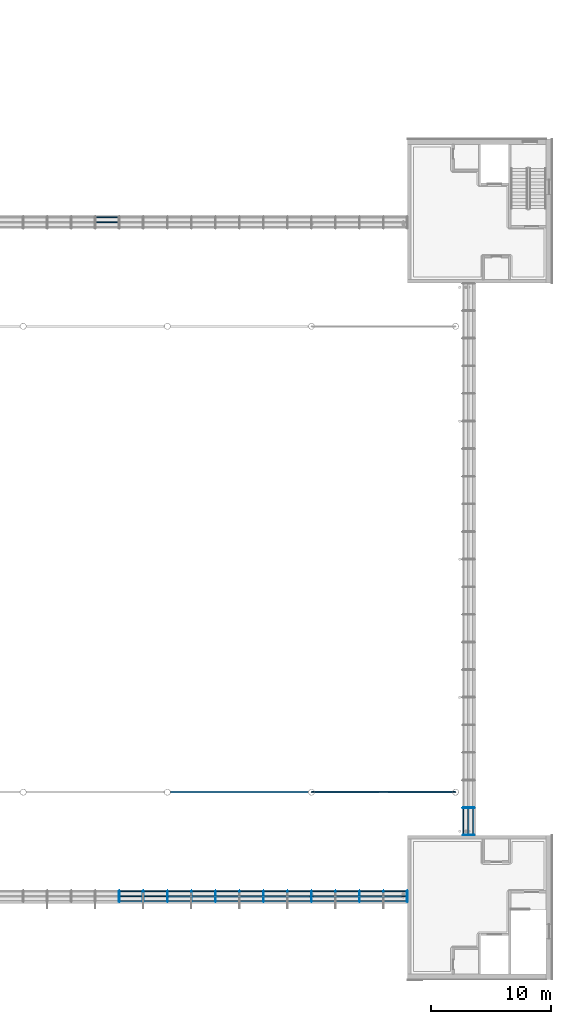
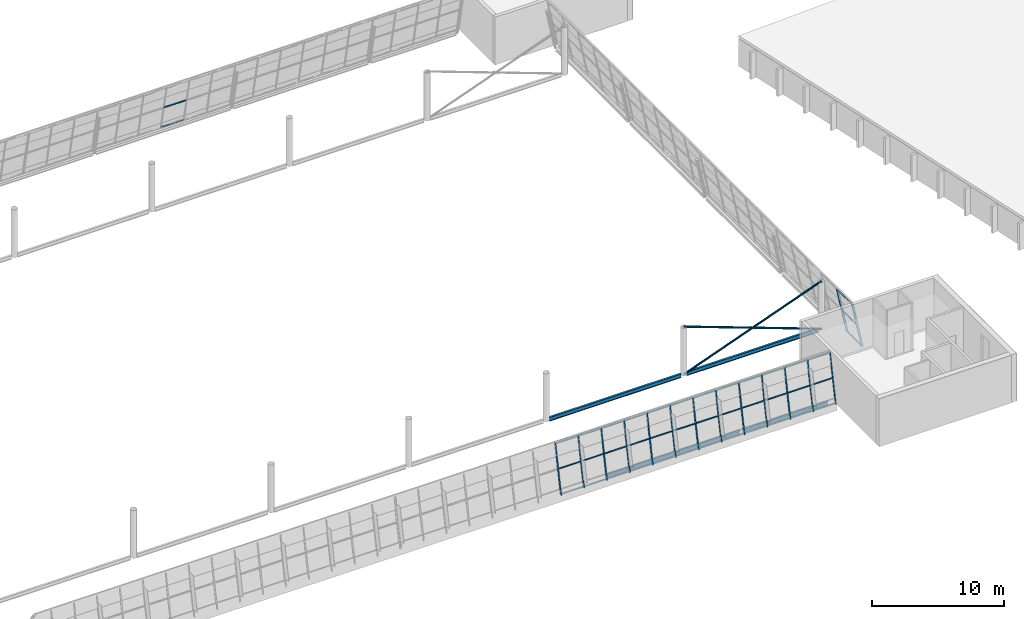
# One storey, part 14 of 50: 59 members, 4 beams, 3 elements without a shape of their own.
"""IFC4 building model written with IfcOpenShell, lengths in metres."""

from ifc_helpers import new_model, si_unit, direction, frame, origin, origin_2d, place, context, subcontext, project, spatial, rectangle, hollow_circle, i_section, extrude, material, layer, layer_set, material_profile, profile_set, type_object, element, aggregate, save


model = new_model("IFC4")

# Units and contexts
model_context = context("Model", 3, precision=1e-05, world=origin(), true_north=direction((0.0, 1.0)))
body_context = subcontext(model_context, "Body", "Model", "MODEL_VIEW")
ifc_project = project(units=[si_unit("LENGTHUNIT", "METRE"), si_unit("AREAUNIT", "SQUARE_METRE"), si_unit("VOLUMEUNIT", "CUBIC_METRE"), si_unit("PLANEANGLEUNIT", "RADIAN"), si_unit("MASSUNIT", "GRAM", prefix="KILO")], contexts=[model_context])

# Site, building, storey
site_placement = place(None, origin())
site = spatial("IfcSite", under=ifc_project, at=site_placement, CompositionType="ELEMENT")
building_placement = place(site_placement, origin())
building = spatial("IfcBuilding", under=site, at=building_placement, Name="Windward Yard Aquatics Centre", CompositionType="ELEMENT")
storey_placement = place(building_placement, frame((0.0, 0.0, 18.199951171875)))
storey = spatial("IfcBuildingStorey", under=building, at=storey_placement, Name="L04", CompositionType="ELEMENT", Elevation=18.199951171875)

# Curtain wall, members
ifc_material_1 = material(Name="Glass and aluminium curtain wall", Category="aluminium")
ifc_layer = layer(ifc_material_1, 0.179931640625)
ifc_layer_set = layer_set([ifc_layer], Name="H curtain wall tier 2 double glazed 6+16+6")
curtain_wall_type = type_object("IfcCurtainWallType", Name="H curtain wall tier 2 double glazed 6+16+6", PredefinedType="NOTDEFINED", material=ifc_layer_set)
curtain_wall_1_placement = place(storey_placement, origin())
curtain_wall_1 = element("IfcCurtainWall", 1, at=curtain_wall_1_placement, inside=storey, type_object=curtain_wall_type, Name="Tier 2 glazing S L04", PredefinedType="NOTDEFINED")
ifc_material_2 = material(Name="Aluminium 6063-T6 anodised", Category="aluminium")
ifc_material_profile_1 = material_profile(ifc_material_2, rectangle(XDim=0.06494140625, YDim=0.179931640625, at=origin_2d()), Name="H CW mullion 65x180")
ifc_profile_set_1 = profile_set([ifc_material_profile_1], Name="Aluminium 6063-T6 anodised")
member_type_1 = type_object("IfcMemberType", Name="H CW mullion 65x180", PredefinedType="MULLION", material=ifc_profile_set_1)
member_1_placement = place(storey_placement, frame((116.003173828125, 32.505126953125, 0.0), z_axis=(0.0, 0.199376314935, 0.979922999548), x_axis=(-1.0, 0.0, 0.0)))
member_1 = element("IfcMember", 2, at=member_1_placement, type_object=member_type_1, Name="G2SB mullion 8", PredefinedType="MULLION", context=body_context, shape_type="SweptSolid", body=[
    extrude(rectangle(XDim=0.06494140625, YDim=0.179931640625, at=origin_2d()), origin(), (0.0, 0.0, 1.0), 4.31884765625),
])
member_2_placement = place(storey_placement, frame((118.0029296875, 32.505126953125, 0.0), z_axis=(0.0, 0.199376314935, 0.979922999548), x_axis=(-1.0, 0.0, 0.0)))
member_2 = element("IfcMember", 3, at=member_2_placement, type_object=member_type_1, Name="G2SB mullion 9", PredefinedType="MULLION", context=body_context, shape_type="SweptSolid", body=[
    extrude(rectangle(XDim=0.06494140625, YDim=0.179931640625, at=origin_2d()), origin(), (0.0, 0.0, 1.0), 4.31884765625),
])
member_3_placement = place(storey_placement, frame((120.002685546875, 32.505126953125, 0.0), z_axis=(0.0, 0.199376314935, 0.979922999548), x_axis=(-1.0, 0.0, 0.0)))
member_3 = element("IfcMember", 4, at=member_3_placement, type_object=member_type_1, Name="G2SB mullion 10", PredefinedType="MULLION", context=body_context, shape_type="SweptSolid", body=[
    extrude(rectangle(XDim=0.06494140625, YDim=0.179931640625, at=origin_2d()), origin(), (0.0, 0.0, 1.0), 4.31884765625),
])
member_4_placement = place(storey_placement, frame((122.00244140625, 32.505126953125, 0.0), z_axis=(0.0, 0.199376314935, 0.979922999548), x_axis=(-1.0, 0.0, 0.0)))
member_4 = element("IfcMember", 5, at=member_4_placement, type_object=member_type_1, Name="G2SB mullion 11", PredefinedType="MULLION", context=body_context, shape_type="SweptSolid", body=[
    extrude(rectangle(XDim=0.06494140625, YDim=0.179931640625, at=origin_2d()), origin(), (0.0, 0.0, 1.0), 4.31884765625),
])
member_5_placement = place(storey_placement, frame((124.002197265625, 32.505126953125, 0.0), z_axis=(0.0, 0.199376314935, 0.979922999548), x_axis=(-1.0, 0.0, 0.0)))
member_5 = element("IfcMember", 6, at=member_5_placement, type_object=member_type_1, Name="G2SB mullion 12", PredefinedType="MULLION", context=body_context, shape_type="SweptSolid", body=[
    extrude(rectangle(XDim=0.06494140625, YDim=0.179931640625, at=origin_2d()), origin(), (0.0, 0.0, 1.0), 4.31884765625),
])
member_6_placement = place(storey_placement, frame((126.001953125, 32.505126953125, 0.0), z_axis=(0.0, 0.199376314935, 0.979922999548), x_axis=(-1.0, 0.0, 0.0)))
member_6 = element("IfcMember", 7, at=member_6_placement, type_object=member_type_1, Name="G2SB mullion 13", PredefinedType="MULLION", context=body_context, shape_type="SweptSolid", body=[
    extrude(rectangle(XDim=0.06494140625, YDim=0.179931640625, at=origin_2d()), origin(), (0.0, 0.0, 1.0), 4.31884765625),
])
member_7_placement = place(storey_placement, frame((128.00146484375, 32.505126953125, 0.0), z_axis=(0.0, 0.199376314935, 0.979922999548), x_axis=(-1.0, 0.0, 0.0)))
member_7 = element("IfcMember", 8, at=member_7_placement, type_object=member_type_1, Name="G2SB mullion 14", PredefinedType="MULLION", context=body_context, shape_type="SweptSolid", body=[
    extrude(rectangle(XDim=0.06494140625, YDim=0.179931640625, at=origin_2d()), origin(), (0.0, 0.0, 1.0), 4.31884765625),
])
member_8_placement = place(storey_placement, frame((130.001220703125, 32.505126953125, 0.0), z_axis=(0.0, 0.199376314935, 0.979922999548), x_axis=(-1.0, 0.0, 0.0)))
member_8 = element("IfcMember", 9, at=member_8_placement, type_object=member_type_1, Name="G2SB mullion 15", PredefinedType="MULLION", context=body_context, shape_type="SweptSolid", body=[
    extrude(rectangle(XDim=0.06494140625, YDim=0.179931640625, at=origin_2d()), origin(), (0.0, 0.0, 1.0), 4.31884765625),
])
member_9_placement = place(storey_placement, frame((132.0009765625, 32.505126953125, 0.0), z_axis=(0.0, 0.199376314935, 0.979922999548), x_axis=(-1.0, 0.0, 0.0)))
member_9 = element("IfcMember", 10, at=member_9_placement, type_object=member_type_1, Name="G2SB mullion 16", PredefinedType="MULLION", context=body_context, shape_type="SweptSolid", body=[
    extrude(rectangle(XDim=0.06494140625, YDim=0.179931640625, at=origin_2d()), origin(), (0.0, 0.0, 1.0), 4.31884765625),
])
member_10_placement = place(storey_placement, frame((134.000732421875, 32.505126953125, 0.0), z_axis=(0.0, 0.199376314935, 0.979922999548), x_axis=(-1.0, 0.0, 0.0)))
member_10 = element("IfcMember", 11, at=member_10_placement, type_object=member_type_1, Name="G2SB mullion 17", PredefinedType="MULLION", context=body_context, shape_type="SweptSolid", body=[
    extrude(rectangle(XDim=0.06494140625, YDim=0.179931640625, at=origin_2d()), origin(), (0.0, 0.0, 1.0), 4.31884765625),
])
member_11_placement = place(storey_placement, frame((136.00048828125, 32.505126953125, 0.0), z_axis=(0.0, 0.199376314935, 0.979922999548), x_axis=(-1.0, 0.0, 0.0)))
member_11 = element("IfcMember", 12, at=member_11_placement, type_object=member_type_1, Name="G2SB mullion 18", PredefinedType="MULLION", context=body_context, shape_type="SweptSolid", body=[
    extrude(rectangle(XDim=0.06494140625, YDim=0.179931640625, at=origin_2d()), origin(), (0.0, 0.0, 1.0), 4.31884765625),
])
member_12_placement = place(storey_placement, frame((138.000244140625, 32.505126953125, 0.0), z_axis=(0.0, 0.199376314935, 0.979922999548), x_axis=(-1.0, 0.0, 0.0)))
member_12 = element("IfcMember", 13, at=member_12_placement, type_object=member_type_1, Name="G2SB mullion 19", PredefinedType="MULLION", context=body_context, shape_type="SweptSolid", body=[
    extrude(rectangle(XDim=0.06494140625, YDim=0.179931640625, at=origin_2d()), origin(), (0.0, 0.0, 1.0), 4.31884765625),
])
member_13_placement = place(storey_placement, frame((139.967529296875, 32.505126953125, 0.0), z_axis=(0.0, 0.199376314935, 0.979922999548), x_axis=(-1.0, 0.0, 0.0)))
member_13 = element("IfcMember", 14, at=member_13_placement, type_object=member_type_1, Name="G2SB mullion 20", PredefinedType="MULLION", context=body_context, shape_type="SweptSolid", body=[
    extrude(rectangle(XDim=0.06494140625, YDim=0.179931640625, at=origin_2d()), origin(), (0.0, 0.0, 1.0), 4.31884765625),
])

curtain_wall_2_placement = place(storey_placement, origin())
curtain_wall_2 = element("IfcCurtainWall", 15, at=curtain_wall_2_placement, inside=storey, type_object=curtain_wall_type, Name="Tier 2 glazing E L04", PredefinedType="NOTDEFINED")
member_14_placement = place(storey_placement, frame((145.494873046875, 38.032470703125, 0.0), z_axis=(-0.199376314935, 0.0, 0.979922999548), x_axis=(0.0, -1.0, 0.0)))
member_14 = element("IfcMember", 16, at=member_14_placement, type_object=member_type_1, Name="G2EA mullion 1", PredefinedType="MULLION", context=body_context, shape_type="SweptSolid", body=[
    extrude(rectangle(XDim=0.06494140625, YDim=0.179931640625, at=origin_2d()), origin(), (0.0, 0.0, 1.0), 4.31884765625),
])
member_15_placement = place(storey_placement, frame((145.494873046875, 40.300048828125, 0.0), z_axis=(-0.199376314935, 0.0, 0.979922999548), x_axis=(0.0, -1.0, 0.0)))
member_15 = element("IfcMember", 17, at=member_15_placement, type_object=member_type_1, Name="G2EA mullion 2", PredefinedType="MULLION", context=body_context, shape_type="SweptSolid", body=[
    extrude(rectangle(XDim=0.06494140625, YDim=0.179931640625, at=origin_2d()), origin(), (0.0, 0.0, 1.0), 4.31884765625),
])

# Member
ifc_material_profile_2 = material_profile(ifc_material_2, rectangle(XDim=0.06494140625, YDim=0.10009765625, at=origin_2d()), Name="H CW transom 65x100")
ifc_profile_set_2 = profile_set([ifc_material_profile_2], Name="Aluminium 6063-T6 anodised")
member_type_2 = type_object("IfcMemberType", Name="H CW transom 65x100", PredefinedType="USERDEFINED", material=ifc_profile_set_2)
member_16_placement = place(storey_placement, frame((116.03564453125, 32.51513671875, 0.049072265625), z_axis=(1.0, 0.0, 0.0), x_axis=(0.0, -0.9799247046, 0.19936793452)))
member_16 = element("IfcMember", 18, at=member_16_placement, type_object=member_type_2, Name="G2SB transom 8.1", ObjectType="TRANSOM", PredefinedType="USERDEFINED", context=body_context, shape_type="SweptSolid", body=[
    extrude(rectangle(XDim=0.06494140625, YDim=0.10009765625, at=origin_2d()), origin(), (0.0, 0.0, 1.0), 1.934814453125),
])

member_17_placement = place(storey_placement, frame((116.03564453125, 32.9375, 2.125), z_axis=(1.0, 0.0, 0.0), x_axis=(0.0, -0.9799247046, 0.19936793452)))
member_17 = element("IfcMember", 19, at=member_17_placement, type_object=member_type_2, Name="G2SB transom 8.2", ObjectType="TRANSOM", PredefinedType="USERDEFINED", context=body_context, shape_type="SweptSolid", body=[
    extrude(rectangle(XDim=0.06494140625, YDim=0.10009765625, at=origin_2d()), origin(), (0.0, 0.0, 1.0), 1.934814453125),
])

member_18_placement = place(storey_placement, frame((116.03564453125, 33.358642578125, 4.194580078125), z_axis=(1.0, 0.0, 0.0), x_axis=(0.0, -0.9799247046, 0.19936793452)))
member_18 = element("IfcMember", 20, at=member_18_placement, type_object=member_type_2, Name="G2SB transom 8.3", ObjectType="TRANSOM", PredefinedType="USERDEFINED", context=body_context, shape_type="SweptSolid", body=[
    extrude(rectangle(XDim=0.06494140625, YDim=0.10009765625, at=origin_2d()), origin(), (0.0, 0.0, 1.0), 1.934814453125),
])

member_19_placement = place(storey_placement, frame((118.035400390625, 32.51513671875, 0.049072265625), z_axis=(1.0, 0.0, 0.0), x_axis=(0.0, -0.9799247046, 0.19936793452)))
member_19 = element("IfcMember", 21, at=member_19_placement, type_object=member_type_2, Name="G2SB transom 9.1", ObjectType="TRANSOM", PredefinedType="USERDEFINED", context=body_context, shape_type="SweptSolid", body=[
    extrude(rectangle(XDim=0.06494140625, YDim=0.10009765625, at=origin_2d()), origin(), (0.0, 0.0, 1.0), 1.934814453125),
])

member_20_placement = place(storey_placement, frame((118.035400390625, 32.9375, 2.125), z_axis=(1.0, 0.0, 0.0), x_axis=(0.0, -0.9799247046, 0.19936793452)))
member_20 = element("IfcMember", 22, at=member_20_placement, type_object=member_type_2, Name="G2SB transom 9.2", ObjectType="TRANSOM", PredefinedType="USERDEFINED", context=body_context, shape_type="SweptSolid", body=[
    extrude(rectangle(XDim=0.06494140625, YDim=0.10009765625, at=origin_2d()), origin(), (0.0, 0.0, 1.0), 1.934814453125),
])

member_21_placement = place(storey_placement, frame((118.035400390625, 33.358642578125, 4.194580078125), z_axis=(1.0, 0.0, 0.0), x_axis=(0.0, -0.9799247046, 0.19936793452)))
member_21 = element("IfcMember", 23, at=member_21_placement, type_object=member_type_2, Name="G2SB transom 9.3", ObjectType="TRANSOM", PredefinedType="USERDEFINED", context=body_context, shape_type="SweptSolid", body=[
    extrude(rectangle(XDim=0.06494140625, YDim=0.10009765625, at=origin_2d()), origin(), (0.0, 0.0, 1.0), 1.934814453125),
])

member_22_placement = place(storey_placement, frame((120.03515625, 32.51513671875, 0.049072265625), z_axis=(1.0, 0.0, 0.0), x_axis=(0.0, -0.9799247046, 0.19936793452)))
member_22 = element("IfcMember", 24, at=member_22_placement, type_object=member_type_2, Name="G2SB transom 10.1", ObjectType="TRANSOM", PredefinedType="USERDEFINED", context=body_context, shape_type="SweptSolid", body=[
    extrude(rectangle(XDim=0.06494140625, YDim=0.10009765625, at=origin_2d()), origin(), (0.0, 0.0, 1.0), 1.934814453125),
])

member_23_placement = place(storey_placement, frame((120.03515625, 32.9375, 2.125), z_axis=(1.0, 0.0, 0.0), x_axis=(0.0, -0.9799247046, 0.19936793452)))
member_23 = element("IfcMember", 25, at=member_23_placement, type_object=member_type_2, Name="G2SB transom 10.2", ObjectType="TRANSOM", PredefinedType="USERDEFINED", context=body_context, shape_type="SweptSolid", body=[
    extrude(rectangle(XDim=0.06494140625, YDim=0.10009765625, at=origin_2d()), origin(), (0.0, 0.0, 1.0), 1.934814453125),
])

member_24_placement = place(storey_placement, frame((120.03515625, 33.358642578125, 4.194580078125), z_axis=(1.0, 0.0, 0.0), x_axis=(0.0, -0.9799247046, 0.19936793452)))
member_24 = element("IfcMember", 26, at=member_24_placement, type_object=member_type_2, Name="G2SB transom 10.3", ObjectType="TRANSOM", PredefinedType="USERDEFINED", context=body_context, shape_type="SweptSolid", body=[
    extrude(rectangle(XDim=0.06494140625, YDim=0.10009765625, at=origin_2d()), origin(), (0.0, 0.0, 1.0), 1.934814453125),
])

member_25_placement = place(storey_placement, frame((122.034912109375, 32.51513671875, 0.049072265625), z_axis=(1.0, 0.0, 0.0), x_axis=(0.0, -0.9799247046, 0.19936793452)))
member_25 = element("IfcMember", 27, at=member_25_placement, type_object=member_type_2, Name="G2SB transom 11.1", ObjectType="TRANSOM", PredefinedType="USERDEFINED", context=body_context, shape_type="SweptSolid", body=[
    extrude(rectangle(XDim=0.06494140625, YDim=0.10009765625, at=origin_2d()), origin(), (0.0, 0.0, 1.0), 1.934814453125),
])

member_26_placement = place(storey_placement, frame((122.034912109375, 32.9375, 2.125), z_axis=(1.0, 0.0, 0.0), x_axis=(0.0, -0.9799247046, 0.19936793452)))
member_26 = element("IfcMember", 28, at=member_26_placement, type_object=member_type_2, Name="G2SB transom 11.2", ObjectType="TRANSOM", PredefinedType="USERDEFINED", context=body_context, shape_type="SweptSolid", body=[
    extrude(rectangle(XDim=0.06494140625, YDim=0.10009765625, at=origin_2d()), origin(), (0.0, 0.0, 1.0), 1.934814453125),
])

member_27_placement = place(storey_placement, frame((122.034912109375, 33.358642578125, 4.194580078125), z_axis=(1.0, 0.0, 0.0), x_axis=(0.0, -0.9799247046, 0.19936793452)))
member_27 = element("IfcMember", 29, at=member_27_placement, type_object=member_type_2, Name="G2SB transom 11.3", ObjectType="TRANSOM", PredefinedType="USERDEFINED", context=body_context, shape_type="SweptSolid", body=[
    extrude(rectangle(XDim=0.06494140625, YDim=0.10009765625, at=origin_2d()), origin(), (0.0, 0.0, 1.0), 1.934814453125),
])

member_28_placement = place(storey_placement, frame((124.03466796875, 32.51513671875, 0.049072265625), z_axis=(1.0, 0.0, 0.0), x_axis=(0.0, -0.9799247046, 0.19936793452)))
member_28 = element("IfcMember", 30, at=member_28_placement, type_object=member_type_2, Name="G2SB transom 12.1", ObjectType="TRANSOM", PredefinedType="USERDEFINED", context=body_context, shape_type="SweptSolid", body=[
    extrude(rectangle(XDim=0.06494140625, YDim=0.10009765625, at=origin_2d()), origin(), (0.0, 0.0, 1.0), 1.9345703125),
])

member_29_placement = place(storey_placement, frame((124.03466796875, 32.9375, 2.125), z_axis=(1.0, 0.0, 0.0), x_axis=(0.0, -0.9799247046, 0.19936793452)))
member_29 = element("IfcMember", 31, at=member_29_placement, type_object=member_type_2, Name="G2SB transom 12.2", ObjectType="TRANSOM", PredefinedType="USERDEFINED", context=body_context, shape_type="SweptSolid", body=[
    extrude(rectangle(XDim=0.06494140625, YDim=0.10009765625, at=origin_2d()), origin(), (0.0, 0.0, 1.0), 1.9345703125),
])

member_30_placement = place(storey_placement, frame((124.03466796875, 33.358642578125, 4.194580078125), z_axis=(1.0, 0.0, 0.0), x_axis=(0.0, -0.9799247046, 0.19936793452)))
member_30 = element("IfcMember", 32, at=member_30_placement, type_object=member_type_2, Name="G2SB transom 12.3", ObjectType="TRANSOM", PredefinedType="USERDEFINED", context=body_context, shape_type="SweptSolid", body=[
    extrude(rectangle(XDim=0.06494140625, YDim=0.10009765625, at=origin_2d()), origin(), (0.0, 0.0, 1.0), 1.9345703125),
])

member_31_placement = place(storey_placement, frame((126.034423828125, 32.51513671875, 0.049072265625), z_axis=(1.0, 0.0, 0.0), x_axis=(0.0, -0.9799247046, 0.19936793452)))
member_31 = element("IfcMember", 33, at=member_31_placement, type_object=member_type_2, Name="G2SB transom 13.1", ObjectType="TRANSOM", PredefinedType="USERDEFINED", context=body_context, shape_type="SweptSolid", body=[
    extrude(rectangle(XDim=0.06494140625, YDim=0.10009765625, at=origin_2d()), origin(), (0.0, 0.0, 1.0), 1.9345703125),
])

member_32_placement = place(storey_placement, frame((126.034423828125, 32.9375, 2.125), z_axis=(1.0, 0.0, 0.0), x_axis=(0.0, -0.9799247046, 0.19936793452)))
member_32 = element("IfcMember", 34, at=member_32_placement, type_object=member_type_2, Name="G2SB transom 13.2", ObjectType="TRANSOM", PredefinedType="USERDEFINED", context=body_context, shape_type="SweptSolid", body=[
    extrude(rectangle(XDim=0.06494140625, YDim=0.10009765625, at=origin_2d()), origin(), (0.0, 0.0, 1.0), 1.9345703125),
])

member_33_placement = place(storey_placement, frame((126.034423828125, 33.358642578125, 4.194580078125), z_axis=(1.0, 0.0, 0.0), x_axis=(0.0, -0.9799247046, 0.19936793452)))
member_33 = element("IfcMember", 35, at=member_33_placement, type_object=member_type_2, Name="G2SB transom 13.3", ObjectType="TRANSOM", PredefinedType="USERDEFINED", context=body_context, shape_type="SweptSolid", body=[
    extrude(rectangle(XDim=0.06494140625, YDim=0.10009765625, at=origin_2d()), origin(), (0.0, 0.0, 1.0), 1.9345703125),
])

member_34_placement = place(storey_placement, frame((128.0341796875, 32.51513671875, 0.049072265625), z_axis=(1.0, 0.0, 0.0), x_axis=(0.0, -0.9799247046, 0.19936793452)))
member_34 = element("IfcMember", 36, at=member_34_placement, type_object=member_type_2, Name="G2SB transom 14.1", ObjectType="TRANSOM", PredefinedType="USERDEFINED", context=body_context, shape_type="SweptSolid", body=[
    extrude(rectangle(XDim=0.06494140625, YDim=0.10009765625, at=origin_2d()), origin(), (0.0, 0.0, 1.0), 1.9345703125),
])

member_35_placement = place(storey_placement, frame((128.0341796875, 32.9375, 2.125), z_axis=(1.0, 0.0, 0.0), x_axis=(0.0, -0.9799247046, 0.19936793452)))
member_35 = element("IfcMember", 37, at=member_35_placement, type_object=member_type_2, Name="G2SB transom 14.2", ObjectType="TRANSOM", PredefinedType="USERDEFINED", context=body_context, shape_type="SweptSolid", body=[
    extrude(rectangle(XDim=0.06494140625, YDim=0.10009765625, at=origin_2d()), origin(), (0.0, 0.0, 1.0), 1.9345703125),
])

member_36_placement = place(storey_placement, frame((128.0341796875, 33.358642578125, 4.194580078125), z_axis=(1.0, 0.0, 0.0), x_axis=(0.0, -0.9799247046, 0.19936793452)))
member_36 = element("IfcMember", 38, at=member_36_placement, type_object=member_type_2, Name="G2SB transom 14.3", ObjectType="TRANSOM", PredefinedType="USERDEFINED", context=body_context, shape_type="SweptSolid", body=[
    extrude(rectangle(XDim=0.06494140625, YDim=0.10009765625, at=origin_2d()), origin(), (0.0, 0.0, 1.0), 1.9345703125),
])

member_37_placement = place(storey_placement, frame((130.033935546875, 32.51513671875, 0.049072265625), z_axis=(1.0, 0.0, 0.0), x_axis=(0.0, -0.9799247046, 0.19936793452)))
member_37 = element("IfcMember", 39, at=member_37_placement, type_object=member_type_2, Name="G2SB transom 15.1", ObjectType="TRANSOM", PredefinedType="USERDEFINED", context=body_context, shape_type="SweptSolid", body=[
    extrude(rectangle(XDim=0.06494140625, YDim=0.10009765625, at=origin_2d()), origin(), (0.0, 0.0, 1.0), 1.9345703125),
])

member_38_placement = place(storey_placement, frame((130.033935546875, 32.9375, 2.125), z_axis=(1.0, 0.0, 0.0), x_axis=(0.0, -0.9799247046, 0.19936793452)))
member_38 = element("IfcMember", 40, at=member_38_placement, type_object=member_type_2, Name="G2SB transom 15.2", ObjectType="TRANSOM", PredefinedType="USERDEFINED", context=body_context, shape_type="SweptSolid", body=[
    extrude(rectangle(XDim=0.06494140625, YDim=0.10009765625, at=origin_2d()), origin(), (0.0, 0.0, 1.0), 1.9345703125),
])

member_39_placement = place(storey_placement, frame((130.033935546875, 33.358642578125, 4.194580078125), z_axis=(1.0, 0.0, 0.0), x_axis=(0.0, -0.9799247046, 0.19936793452)))
member_39 = element("IfcMember", 41, at=member_39_placement, type_object=member_type_2, Name="G2SB transom 15.3", ObjectType="TRANSOM", PredefinedType="USERDEFINED", context=body_context, shape_type="SweptSolid", body=[
    extrude(rectangle(XDim=0.06494140625, YDim=0.10009765625, at=origin_2d()), origin(), (0.0, 0.0, 1.0), 1.9345703125),
])

member_40_placement = place(storey_placement, frame((132.033447265625, 32.51513671875, 0.049072265625), z_axis=(1.0, 0.0, 0.0), x_axis=(0.0, -0.9799247046, 0.19936793452)))
member_40 = element("IfcMember", 42, at=member_40_placement, type_object=member_type_2, Name="G2SB transom 16.1", ObjectType="TRANSOM", PredefinedType="USERDEFINED", context=body_context, shape_type="SweptSolid", body=[
    extrude(rectangle(XDim=0.06494140625, YDim=0.10009765625, at=origin_2d()), origin(), (0.0, 0.0, 1.0), 1.934814453125),
])

member_41_placement = place(storey_placement, frame((132.033447265625, 32.9375, 2.125), z_axis=(1.0, 0.0, 0.0), x_axis=(0.0, -0.9799247046, 0.19936793452)))
member_41 = element("IfcMember", 43, at=member_41_placement, type_object=member_type_2, Name="G2SB transom 16.2", ObjectType="TRANSOM", PredefinedType="USERDEFINED", context=body_context, shape_type="SweptSolid", body=[
    extrude(rectangle(XDim=0.06494140625, YDim=0.10009765625, at=origin_2d()), origin(), (0.0, 0.0, 1.0), 1.934814453125),
])

member_42_placement = place(storey_placement, frame((132.033447265625, 33.358642578125, 4.194580078125), z_axis=(1.0, 0.0, 0.0), x_axis=(0.0, -0.9799247046, 0.19936793452)))
member_42 = element("IfcMember", 44, at=member_42_placement, type_object=member_type_2, Name="G2SB transom 16.3", ObjectType="TRANSOM", PredefinedType="USERDEFINED", context=body_context, shape_type="SweptSolid", body=[
    extrude(rectangle(XDim=0.06494140625, YDim=0.10009765625, at=origin_2d()), origin(), (0.0, 0.0, 1.0), 1.934814453125),
])

member_43_placement = place(storey_placement, frame((134.033203125, 32.51513671875, 0.049072265625), z_axis=(1.0, 0.0, 0.0), x_axis=(0.0, -0.9799247046, 0.19936793452)))
member_43 = element("IfcMember", 45, at=member_43_placement, type_object=member_type_2, Name="G2SB transom 17.1", ObjectType="TRANSOM", PredefinedType="USERDEFINED", context=body_context, shape_type="SweptSolid", body=[
    extrude(rectangle(XDim=0.06494140625, YDim=0.10009765625, at=origin_2d()), origin(), (0.0, 0.0, 1.0), 1.934814453125),
])

member_44_placement = place(storey_placement, frame((134.033203125, 32.9375, 2.125), z_axis=(1.0, 0.0, 0.0), x_axis=(0.0, -0.9799247046, 0.19936793452)))
member_44 = element("IfcMember", 46, at=member_44_placement, type_object=member_type_2, Name="G2SB transom 17.2", ObjectType="TRANSOM", PredefinedType="USERDEFINED", context=body_context, shape_type="SweptSolid", body=[
    extrude(rectangle(XDim=0.06494140625, YDim=0.10009765625, at=origin_2d()), origin(), (0.0, 0.0, 1.0), 1.934814453125),
])

member_45_placement = place(storey_placement, frame((134.033203125, 33.358642578125, 4.194580078125), z_axis=(1.0, 0.0, 0.0), x_axis=(0.0, -0.9799247046, 0.19936793452)))
member_45 = element("IfcMember", 47, at=member_45_placement, type_object=member_type_2, Name="G2SB transom 17.3", ObjectType="TRANSOM", PredefinedType="USERDEFINED", context=body_context, shape_type="SweptSolid", body=[
    extrude(rectangle(XDim=0.06494140625, YDim=0.10009765625, at=origin_2d()), origin(), (0.0, 0.0, 1.0), 1.934814453125),
])

member_46_placement = place(storey_placement, frame((136.032958984375, 32.51513671875, 0.049072265625), z_axis=(1.0, 0.0, 0.0), x_axis=(0.0, -0.9799247046, 0.19936793452)))
member_46 = element("IfcMember", 48, at=member_46_placement, type_object=member_type_2, Name="G2SB transom 18.1", ObjectType="TRANSOM", PredefinedType="USERDEFINED", context=body_context, shape_type="SweptSolid", body=[
    extrude(rectangle(XDim=0.06494140625, YDim=0.10009765625, at=origin_2d()), origin(), (0.0, 0.0, 1.0), 1.934814453125),
])

member_47_placement = place(storey_placement, frame((136.032958984375, 32.9375, 2.125), z_axis=(1.0, 0.0, 0.0), x_axis=(0.0, -0.9799247046, 0.19936793452)))
member_47 = element("IfcMember", 49, at=member_47_placement, type_object=member_type_2, Name="G2SB transom 18.2", ObjectType="TRANSOM", PredefinedType="USERDEFINED", context=body_context, shape_type="SweptSolid", body=[
    extrude(rectangle(XDim=0.06494140625, YDim=0.10009765625, at=origin_2d()), origin(), (0.0, 0.0, 1.0), 1.934814453125),
])

member_48_placement = place(storey_placement, frame((136.032958984375, 33.358642578125, 4.194580078125), z_axis=(1.0, 0.0, 0.0), x_axis=(0.0, -0.9799247046, 0.19936793452)))
member_48 = element("IfcMember", 50, at=member_48_placement, type_object=member_type_2, Name="G2SB transom 18.3", ObjectType="TRANSOM", PredefinedType="USERDEFINED", context=body_context, shape_type="SweptSolid", body=[
    extrude(rectangle(XDim=0.06494140625, YDim=0.10009765625, at=origin_2d()), origin(), (0.0, 0.0, 1.0), 1.934814453125),
])

member_49_placement = place(storey_placement, frame((138.03271484375, 32.51513671875, 0.049072265625), z_axis=(1.0, 0.0, 0.0), x_axis=(0.0, -0.9799247046, 0.19936793452)))
member_49 = element("IfcMember", 51, at=member_49_placement, type_object=member_type_2, Name="G2SB transom 19.1", ObjectType="TRANSOM", PredefinedType="USERDEFINED", context=body_context, shape_type="SweptSolid", body=[
    extrude(rectangle(XDim=0.06494140625, YDim=0.10009765625, at=origin_2d()), origin(), (0.0, 0.0, 1.0), 1.90234375),
])

member_50_placement = place(storey_placement, frame((138.03271484375, 32.9375, 2.125), z_axis=(1.0, 0.0, 0.0), x_axis=(0.0, -0.9799247046, 0.19936793452)))
member_50 = element("IfcMember", 52, at=member_50_placement, type_object=member_type_2, Name="G2SB transom 19.2", ObjectType="TRANSOM", PredefinedType="USERDEFINED", context=body_context, shape_type="SweptSolid", body=[
    extrude(rectangle(XDim=0.06494140625, YDim=0.10009765625, at=origin_2d()), origin(), (0.0, 0.0, 1.0), 1.90234375),
])

member_51_placement = place(storey_placement, frame((138.03271484375, 33.358642578125, 4.194580078125), z_axis=(1.0, 0.0, 0.0), x_axis=(0.0, -0.9799247046, 0.19936793452)))
member_51 = element("IfcMember", 53, at=member_51_placement, type_object=member_type_2, Name="G2SB transom 19.3", ObjectType="TRANSOM", PredefinedType="USERDEFINED", context=body_context, shape_type="SweptSolid", body=[
    extrude(rectangle(XDim=0.06494140625, YDim=0.10009765625, at=origin_2d()), origin(), (0.0, 0.0, 1.0), 1.90234375),
])

aggregate(curtain_wall_1, [member_1, member_2, member_3, member_4, member_5, member_6, member_7, member_8, member_9, member_10, member_11, member_12, member_13, member_16, member_17, member_18, member_19, member_20, member_21, member_22, member_23, member_24, member_25, member_26, member_27, member_28, member_29, member_30, member_31, member_32, member_33, member_34, member_35, member_36, member_37, member_38, member_39, member_40, member_41, member_42, member_43, member_44, member_45, member_46, member_47, member_48, member_49, member_50, member_51])

# Curtain wall, members
curtain_wall_3_placement = place(storey_placement, origin())
curtain_wall_3 = element("IfcCurtainWall", 54, at=curtain_wall_3_placement, inside=storey, type_object=curtain_wall_type, Name="Tier 2 glazing N L04", PredefinedType="NOTDEFINED")
member_52_placement = place(storey_placement, frame((114.035888671875, 89.48486328125, 0.049072265625), z_axis=(1.0, 0.0, 0.0), x_axis=(0.0, 0.9799247046, 0.19936793452)))
member_52 = element("IfcMember", 55, at=member_52_placement, type_object=member_type_2, Name="G2NB transom 7.1", ObjectType="TRANSOM", PredefinedType="USERDEFINED", context=body_context, shape_type="SweptSolid", body=[
    extrude(rectangle(XDim=0.06494140625, YDim=0.10009765625, at=origin_2d()), origin(), (0.0, 0.0, 1.0), 1.934814453125),
])
member_53_placement = place(storey_placement, frame((114.035888671875, 89.0625, 2.125), z_axis=(1.0, 0.0, 0.0), x_axis=(0.0, 0.9799247046, 0.19936793452)))
member_53 = element("IfcMember", 56, at=member_53_placement, type_object=member_type_2, Name="G2NB transom 7.2", ObjectType="TRANSOM", PredefinedType="USERDEFINED", context=body_context, shape_type="SweptSolid", body=[
    extrude(rectangle(XDim=0.06494140625, YDim=0.10009765625, at=origin_2d()), origin(), (0.0, 0.0, 1.0), 1.934814453125),
])
aggregate(curtain_wall_3, [member_52, member_53])

# Member
member_54_placement = place(storey_placement, frame((145.48486328125, 38.06494140625, 0.049072265625), z_axis=(0.0, 1.0, 0.0), x_axis=(0.9799247046, 0.0, 0.19936793452)))
member_54 = element("IfcMember", 57, at=member_54_placement, type_object=member_type_2, Name="G2EA transom 1.1", ObjectType="TRANSOM", PredefinedType="USERDEFINED", context=body_context, shape_type="SweptSolid", body=[
    extrude(rectangle(XDim=0.06494140625, YDim=0.10009765625, at=origin_2d()), origin(), (0.0, 0.0, 1.0), 2.20263671875),
])

member_55_placement = place(storey_placement, frame((145.0625, 38.06494140625, 2.125), z_axis=(0.0, 1.0, 0.0), x_axis=(0.9799247046, 0.0, 0.19936793452)))
member_55 = element("IfcMember", 58, at=member_55_placement, type_object=member_type_2, Name="G2EA transom 1.2", ObjectType="TRANSOM", PredefinedType="USERDEFINED", context=body_context, shape_type="SweptSolid", body=[
    extrude(rectangle(XDim=0.06494140625, YDim=0.10009765625, at=origin_2d()), origin(), (0.0, 0.0, 1.0), 2.20263671875),
])

member_56_placement = place(storey_placement, frame((144.641357421875, 38.06494140625, 4.194580078125), z_axis=(0.0, 1.0, 0.0), x_axis=(0.9799247046, 0.0, 0.19936793452)))
member_56 = element("IfcMember", 59, at=member_56_placement, type_object=member_type_2, Name="G2EA transom 1.3", ObjectType="TRANSOM", PredefinedType="USERDEFINED", context=body_context, shape_type="SweptSolid", body=[
    extrude(rectangle(XDim=0.06494140625, YDim=0.10009765625, at=origin_2d()), origin(), (0.0, 0.0, 1.0), 2.20263671875),
])

aggregate(curtain_wall_2, [member_14, member_15, member_54, member_55, member_56])

# Beams
ifc_material_3 = material(Name="Steel ASTM A992 Gr 50", Category="steel")
ifc_material_profile_3 = material_profile(ifc_material_3, i_section(OverallWidth=0.172119140625, OverallDepth=0.35791015625, WebThickness=0.0078125, FlangeThickness=0.01318359375, at=origin_2d()), Name="W360X57.8")
ifc_profile_set_3 = profile_set([ifc_material_profile_3], Name="Steel ASTM A992 Gr 50")
beam_type_1 = type_object("IfcBeamType", Name="H arch column tie beam W360X57.8", PredefinedType="BEAM", material=ifc_profile_set_3)
for number, where, z_axis, x_axis, name in (
    (60, (120.25390625, 41.60009765625, 0.0), (1.0, 0.0, 0.0), (0.0, 1.0, 0.0), "H.TB.S6.T4"),
    (61, (132.25390625, 41.60009765625, 0.0), (1.0, 0.0, 0.0), (0.0, 1.0, 0.0), "H.TB.S7.T4"),
):
    element("IfcBeam", number, at=place(storey_placement, frame(where, z_axis=z_axis, x_axis=x_axis)), inside=storey, type_object=beam_type_1, Name=name, PredefinedType="BEAM", context=body_context, shape_type="SweptSolid", body=[
        extrude(i_section(OverallWidth=0.172119140625, OverallDepth=0.35791015625, WebThickness=0.0078125, FlangeThickness=0.01318359375, at=origin_2d()), origin(), (0.0, 0.0, 1.0), 11.4921875),
    ])

# Members
ifc_material_4 = material(Name="Steel ASTM A500 Gr C", Category="steel")
ifc_material_profile_4 = material_profile(ifc_material_4, hollow_circle(Radius=0.084228515625, WallThickness=0.010986328125, at=origin_2d()), Name="HSS168.3X11")
ifc_profile_set_4 = profile_set([ifc_material_profile_4], Name="Steel ASTM A500 Gr C")
member_type_3 = type_object("IfcMemberType", Name="H column brace HSS168.3X11", PredefinedType="BRACE", material=ifc_profile_set_4)
member_57_placement = place(storey_placement, frame((132.0, 41.60009765625, 0.0), z_axis=(0.938872611543, 0.0, 0.344264751746), x_axis=(0.0, 1.0, 0.0)))
element("IfcMember", 62, at=member_57_placement, inside=storey, type_object=member_type_3, Name="H.VB.S7.L04.A", PredefinedType="BRACE", context=body_context, shape_type="SweptSolid", body=[
    extrude(hollow_circle(Radius=0.084228515625, WallThickness=0.010986328125, at=origin_2d()), origin(), (0.0, 0.0, 1.0), 12.78125),
])
for number, where, z_axis, x_axis, name in (
    (63, (132.0, 41.60009765625, 4.400146484375), (0.938872965334, 0.0, -0.344263786891), (0.0, 1.0, 0.0), "H.VB.S7.L04.B1"),
    (64, (138.103515625, 41.60009765625, 2.162109375), (0.938872965334, 0.0, -0.344263786891), (0.0, 1.0, 0.0), "H.VB.S7.L04.B2"),
):
    element("IfcMember", number, at=place(storey_placement, frame(where, z_axis=z_axis, x_axis=x_axis)), inside=storey, type_object=member_type_3, Name=name, PredefinedType="BRACE", context=body_context, shape_type="SweptSolid", body=[
        extrude(hollow_circle(Radius=0.084228515625, WallThickness=0.010986328125, at=origin_2d()), origin(), (0.0, 0.0, 1.0), 6.2802734375),
    ])

# Beams
ifc_material_profile_5 = material_profile(ifc_material_3, i_section(OverallWidth=0.202880859375, OverallDepth=0.302001953125, WebThickness=0.007568359375, FlangeThickness=0.01318359375, at=origin_2d()), Name="W310X60")
ifc_profile_set_5 = profile_set([ifc_material_profile_5], Name="Steel ASTM A992 Gr 50")
beam_type_2 = type_object("IfcBeamType", Name="H tier ring beam W310X60", PredefinedType="BEAM", material=ifc_profile_set_5)
beam_1_placement = place(storey_placement, frame((120.109619140625, 32.90478515625, 0.0), z_axis=(1.0, 0.0, 0.0), x_axis=(0.0, 1.0, 0.0)))
element("IfcBeam", 65, at=beam_1_placement, inside=storey, type_object=beam_type_2, Name="H.RG.S6.2", PredefinedType="BEAM", context=body_context, shape_type="SweptSolid", body=[
    extrude(i_section(OverallWidth=0.202880859375, OverallDepth=0.302001953125, WebThickness=0.007568359375, FlangeThickness=0.01318359375, at=origin_2d()), origin(), (0.0, 0.0, 1.0), 11.78076171875),
])
beam_2_placement = place(storey_placement, frame((132.109619140625, 32.90478515625, 0.0), z_axis=(1.0, 0.0, 0.0), x_axis=(0.0, 1.0, 0.0)))
element("IfcBeam", 66, at=beam_2_placement, inside=storey, type_object=beam_type_2, Name="H.RG.S7.2", PredefinedType="BEAM", context=body_context, shape_type="SweptSolid", body=[
    extrude(i_section(OverallWidth=0.202880859375, OverallDepth=0.302001953125, WebThickness=0.007568359375, FlangeThickness=0.01318359375, at=origin_2d()), origin(), (0.0, 0.0, 1.0), 7.430908203125),
])

save(model, "model.ifc")
